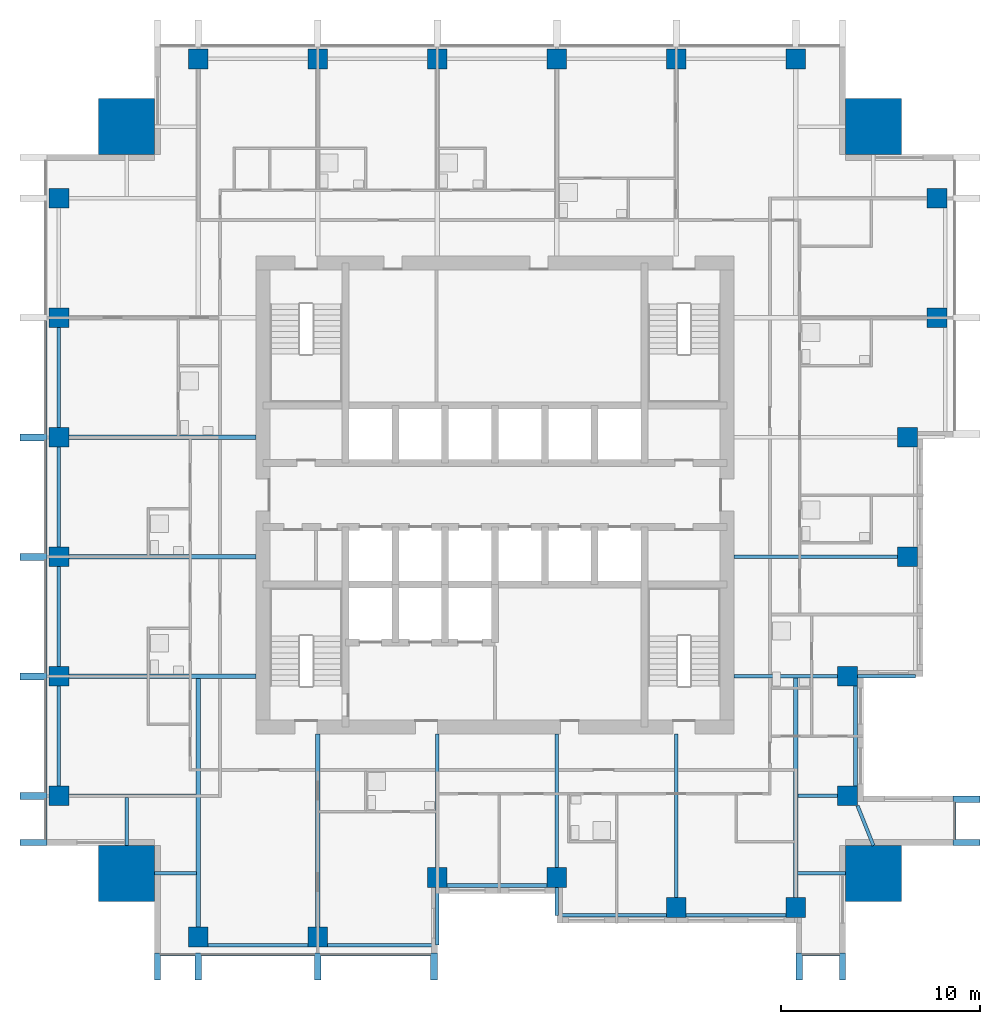
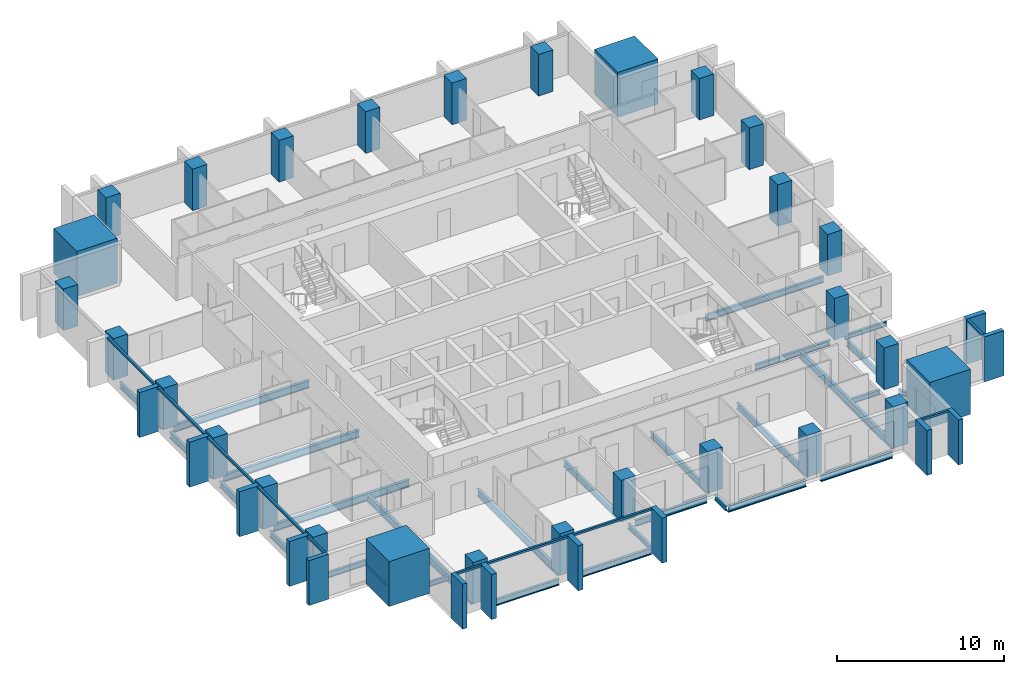
# One storey, part 1 of 10: 30 beams, 28 columns, 23 members, 4 elements without a shape of their own.
"""IFC4 building model written with IfcOpenShell, lengths in metres."""

from ifc_helpers import new_model, si_unit, direction, frame, origin, origin_2d, place, context, subcontext, project, spatial, rectangle, i_section, extrude, material, material_profile, profile_set, type_object, element, aggregate, save


model = new_model("IFC4")

# Units and contexts
model_context = context("Model", 3, precision=1e-05, world=origin(), true_north=direction((0.0, 1.0)))
body_context = subcontext(model_context, "Body", "Model", "MODEL_VIEW")
ifc_project = project(units=[si_unit("LENGTHUNIT", "METRE"), si_unit("AREAUNIT", "SQUARE_METRE"), si_unit("VOLUMEUNIT", "CUBIC_METRE"), si_unit("PLANEANGLEUNIT", "RADIAN"), si_unit("MASSUNIT", "GRAM", prefix="KILO")], contexts=[model_context])

# Site, building, storey
site_placement = place(None, origin())
site = spatial("IfcSite", under=ifc_project, at=site_placement, CompositionType="ELEMENT")
building_placement = place(site_placement, origin())
building = spatial("IfcBuilding", under=site, at=building_placement, Name="Amberfall Residences", CompositionType="ELEMENT")
storey_placement = place(building_placement, frame((0.0, 0.0, 137.199951171875)))
storey = spatial("IfcBuildingStorey", under=building, at=storey_placement, Name="L36", CompositionType="ELEMENT", Elevation=137.199951171875)

# Columns
ifc_material_1 = material(Name="Concrete C60", Category="concrete")
ifc_material_profile_1 = material_profile(ifc_material_1, rectangle(XDim=1.0, YDim=1.0, at=origin_2d()), Name="Column 1000 x 1000 C60")
ifc_profile_set_1 = profile_set([ifc_material_profile_1], Name="Concrete C60")
column_type_1 = type_object("IfcColumnType", Name="Column 1000 x 1000 C60", PredefinedType="COLUMN", material=ifc_profile_set_1)
for number, where, z_axis, x_axis, name in (
    (1, (59.60009765625, 23.300048828125, 0.0), (0.0, 0.0, 1.0), (1.0, 0.0, 0.0), "Column C3 L36 S1"),
    (2, (65.60009765625, 23.300048828125, 0.0), (0.0, 0.0, 1.0), (1.0, 0.0, 0.0), "Column C3 L36 S2"),
    (3, (71.60009765625, 26.300048828125, 0.0), (0.0, 0.0, 1.0), (1.0, 0.0, 0.0), "Column C3 L36 S3"),
    (4, (77.60009765625, 26.300048828125, 0.0), (0.0, 0.0, 1.0), (1.0, 0.0, 0.0), "Column C3 L36 S4"),
    (5, (83.60009765625, 24.800048828125, 0.0), (0.0, 0.0, 1.0), (1.0, 0.0, 0.0), "Column C3 L36 S5"),
    (6, (89.60009765625, 24.800048828125, 0.0), (0.0, 0.0, 1.0), (1.0, 0.0, 0.0), "Column C3 L36 S6"),
    (7, (92.199951171875, 30.39990234375, 0.0), (0.0, 0.0, 1.0), (1.0, 0.0, 0.0), "Column C3 L36 E1"),
    (8, (92.199951171875, 36.39990234375, 0.0), (0.0, 0.0, 1.0), (1.0, 0.0, 0.0), "Column C3 L36 E2"),
    (9, (95.199951171875, 42.39990234375, 0.0), (0.0, 0.0, 1.0), (1.0, 0.0, 0.0), "Column C3 L36 E3"),
    (10, (95.199951171875, 48.39990234375, 0.0), (0.0, 0.0, 1.0), (1.0, 0.0, 0.0), "Column C3 L36 E4"),
    (11, (96.699951171875, 54.39990234375, 0.0), (0.0, 0.0, 1.0), (1.0, 0.0, 0.0), "Column C3 L36 E5"),
    (12, (96.699951171875, 60.39990234375, 0.0), (0.0, 0.0, 1.0), (1.0, 0.0, 0.0), "Column C3 L36 E6"),
    (13, (59.60009765625, 67.39990234375, 0.0), (0.0, 0.0, 1.0), (1.0, 0.0, 0.0), "Column C3 L36 N1"),
    (14, (65.60009765625, 67.39990234375, 0.0), (0.0, 0.0, 1.0), (1.0, 0.0, 0.0), "Column C3 L36 N2"),
    (15, (71.60009765625, 67.39990234375, 0.0), (0.0, 0.0, 1.0), (1.0, 0.0, 0.0), "Column C3 L36 N3"),
    (16, (77.60009765625, 67.39990234375, 0.0), (0.0, 0.0, 1.0), (1.0, 0.0, 0.0), "Column C3 L36 N4"),
    (17, (83.60009765625, 67.39990234375, 0.0), (0.0, 0.0, 1.0), (1.0, 0.0, 0.0), "Column C3 L36 N5"),
    (18, (89.60009765625, 67.39990234375, 0.0), (0.0, 0.0, 1.0), (1.0, 0.0, 0.0), "Column C3 L36 N6"),
    (19, (52.60009765625, 30.39990234375, 0.0), (0.0, 0.0, 1.0), (1.0, 0.0, 0.0), "Column C3 L36 W1"),
    (20, (52.60009765625, 36.39990234375, 0.0), (0.0, 0.0, 1.0), (1.0, 0.0, 0.0), "Column C3 L36 W2"),
    (21, (52.60009765625, 42.39990234375, 0.0), (0.0, 0.0, 1.0), (1.0, 0.0, 0.0), "Column C3 L36 W3"),
    (22, (52.60009765625, 48.39990234375, 0.0), (0.0, 0.0, 1.0), (1.0, 0.0, 0.0), "Column C3 L36 W4"),
    (23, (52.60009765625, 54.39990234375, 0.0), (0.0, 0.0, 1.0), (1.0, 0.0, 0.0), "Column C3 L36 W5"),
    (24, (52.60009765625, 60.39990234375, 0.0), (0.0, 0.0, 1.0), (1.0, 0.0, 0.0), "Column C3 L36 W6"),
):
    element("IfcColumn", number, at=place(storey_placement, frame(where, z_axis=z_axis, x_axis=x_axis)), inside=storey, type_object=column_type_1, Name=name, PredefinedType="COLUMN", context=body_context, shape_type="SweptSolid", body=[
        extrude(rectangle(XDim=1.0, YDim=1.0, at=origin_2d()), origin(), (0.0, 0.0, 1.0), 3.050048828125),
    ])
ifc_material_profile_2 = material_profile(ifc_material_1, rectangle(XDim=2.800048828125, YDim=2.800048828125, at=origin_2d()), Name="Mega column 2800 x 2800 C60")
ifc_profile_set_2 = profile_set([ifc_material_profile_2], Name="Concrete C60")
column_type_2 = type_object("IfcColumnType", Name="Mega column 2800 x 2800 C60", PredefinedType="COLUMN", material=ifc_profile_set_2)
for number, where, z_axis, x_axis, name in (
    (25, (56.0, 26.5, 0.0), (0.0, 0.0, 1.0), (1.0, 0.0, 0.0), "Mega column MC5 L36 SW"),
    (26, (93.5, 26.5, 0.0), (0.0, 0.0, 1.0), (1.0, 0.0, 0.0), "Mega column MC5 L36 SE"),
    (27, (93.5, 64.0, 0.0), (0.0, 0.0, 1.0), (1.0, 0.0, 0.0), "Mega column MC5 L36 NE"),
    (28, (56.0, 64.0, 0.0), (0.0, 0.0, 1.0), (1.0, 0.0, 0.0), "Mega column MC5 L36 NW"),
):
    element("IfcColumn", number, at=place(storey_placement, frame(where, z_axis=z_axis, x_axis=x_axis)), inside=storey, type_object=column_type_2, Name=name, PredefinedType="COLUMN", context=body_context, shape_type="SweptSolid", body=[
        extrude(rectangle(XDim=2.800048828125, YDim=2.800048828125, at=origin_2d()), origin(), (0.0, 0.0, 1.0), 3.300048828125),
    ])

# Curtain wall, members
ifc_material_2 = material(Name="Bronze anodised aluminium and glass", Category="aluminium")
curtain_wall_type = type_object("IfcCurtainWallType", Name="Curtain wall CW1 tower unit", PredefinedType="USERDEFINED", material=ifc_material_2)
curtain_wall_1_placement = place(storey_placement, origin())
curtain_wall_1 = element("IfcCurtainWall", 29, at=curtain_wall_1_placement, inside=storey, type_object=curtain_wall_type, Name="Curtain wall L36 S S1", ObjectType="UNITISED CURTAIN WALL", PredefinedType="USERDEFINED")
ifc_material_3 = material(Name="Bronze anodised aluminium", Category="aluminium")
ifc_material_profile_3 = material_profile(ifc_material_3, rectangle(XDim=0.14990234375, YDim=0.14990234375, at=origin_2d()), Name="CW1 transom 150 x 150 bronze")
ifc_profile_set_3 = profile_set([ifc_material_profile_3], Name="Bronze anodised aluminium")
member_type_1 = type_object("IfcMemberType", Name="CW1 transom 150 x 150 bronze", PredefinedType="USERDEFINED", material=ifc_profile_set_3)
member_1_placement = place(storey_placement, frame((57.699951171875, 22.425048828125, 2.97509765625), z_axis=(1.0, 0.0, 0.0), x_axis=(0.0, 1.0, 0.0)))
member_1 = element("IfcMember", 30, at=member_1_placement, type_object=member_type_1, Name="CW1 transom 1.1", ObjectType="TRANSOM", PredefinedType="USERDEFINED", context=body_context, shape_type="SweptSolid", body=[
    extrude(rectangle(XDim=0.14990234375, YDim=0.14990234375, at=origin_2d()), origin(), (0.0, 0.0, 1.0), 1.72509765625),
])
member_2_placement = place(storey_placement, frame((59.77490234375, 22.425048828125, 2.97509765625), z_axis=(1.0, 0.0, 0.0), x_axis=(0.0, 1.0, 0.0)))
member_2 = element("IfcMember", 31, at=member_2_placement, type_object=member_type_1, Name="CW1 transom 2.1", ObjectType="TRANSOM", PredefinedType="USERDEFINED", context=body_context, shape_type="SweptSolid", body=[
    extrude(rectangle(XDim=0.14990234375, YDim=0.14990234375, at=origin_2d()), origin(), (0.0, 0.0, 1.0), 5.650146484375),
])
member_3_placement = place(storey_placement, frame((65.77490234375, 22.425048828125, 2.97509765625), z_axis=(1.0, 0.0, 0.0), x_axis=(0.0, 1.0, 0.0)))
member_3 = element("IfcMember", 32, at=member_3_placement, type_object=member_type_1, Name="CW1 transom 3.1", ObjectType="TRANSOM", PredefinedType="USERDEFINED", context=body_context, shape_type="SweptSolid", body=[
    extrude(rectangle(XDim=0.14990234375, YDim=0.14990234375, at=origin_2d()), origin(), (0.0, 0.0, 1.0), 5.47509765625),
])

# Curtain wall, member
curtain_wall_2_placement = place(storey_placement, origin())
curtain_wall_2 = element("IfcCurtainWall", 33, at=curtain_wall_2_placement, inside=storey, type_object=curtain_wall_type, Name="Curtain wall L36 S S8", ObjectType="UNITISED CURTAIN WALL", PredefinedType="USERDEFINED")
member_4_placement = place(storey_placement, frame((89.949951171875, 22.425048828125, 2.97509765625), z_axis=(1.0, 0.0, 0.0), x_axis=(0.0, 1.0, 0.0)))
member_4 = element("IfcMember", 34, at=member_4_placement, type_object=member_type_1, Name="CW1 transom 1.1", ObjectType="TRANSOM", PredefinedType="USERDEFINED", context=body_context, shape_type="SweptSolid", body=[
    extrude(rectangle(XDim=0.14990234375, YDim=0.14990234375, at=origin_2d()), origin(), (0.0, 0.0, 1.0), 1.85009765625),
])

curtain_wall_3_placement = place(storey_placement, origin())
curtain_wall_3 = element("IfcCurtainWall", 35, at=curtain_wall_3_placement, inside=storey, type_object=curtain_wall_type, Name="Curtain wall L36 E E1", ObjectType="UNITISED CURTAIN WALL", PredefinedType="USERDEFINED")
member_5_placement = place(storey_placement, frame((97.574951171875, 28.199951171875, 2.97509765625), z_axis=(0.0, 1.0, 0.0), x_axis=(-1.0, 0.0, 0.0)))
member_5 = element("IfcMember", 36, at=member_5_placement, type_object=member_type_1, Name="CW1 transom 1.1", ObjectType="TRANSOM", PredefinedType="USERDEFINED", context=body_context, shape_type="SweptSolid", body=[
    extrude(rectangle(XDim=0.14990234375, YDim=0.14990234375, at=origin_2d()), origin(), (0.0, 0.0, 1.0), 1.85009765625),
])

# Curtain wall, members
curtain_wall_4_placement = place(storey_placement, origin())
curtain_wall_4 = element("IfcCurtainWall", 37, at=curtain_wall_4_placement, inside=storey, type_object=curtain_wall_type, Name="Curtain wall L36 W W1", ObjectType="UNITISED CURTAIN WALL", PredefinedType="USERDEFINED")
member_6_placement = place(storey_placement, frame((51.925048828125, 54.22509765625, 2.97509765625), z_axis=(0.0, -1.0, 0.0), x_axis=(1.0, 0.0, 0.0)))
member_6 = element("IfcMember", 38, at=member_6_placement, type_object=member_type_1, Name="CW1 transom 3.1", ObjectType="TRANSOM", PredefinedType="USERDEFINED", context=body_context, shape_type="SweptSolid", body=[
    extrude(rectangle(XDim=0.14990234375, YDim=0.14990234375, at=origin_2d()), origin(), (0.0, 0.0, 1.0), 5.650146484375),
])
member_7_placement = place(storey_placement, frame((51.925048828125, 48.22509765625, 2.97509765625), z_axis=(0.0, -1.0, 0.0), x_axis=(1.0, 0.0, 0.0)))
member_7 = element("IfcMember", 39, at=member_7_placement, type_object=member_type_1, Name="CW1 transom 4.1", ObjectType="TRANSOM", PredefinedType="USERDEFINED", context=body_context, shape_type="SweptSolid", body=[
    extrude(rectangle(XDim=0.14990234375, YDim=0.14990234375, at=origin_2d()), origin(), (0.0, 0.0, 1.0), 5.650146484375),
])
member_8_placement = place(storey_placement, frame((51.925048828125, 42.22509765625, 2.97509765625), z_axis=(0.0, -1.0, 0.0), x_axis=(1.0, 0.0, 0.0)))
member_8 = element("IfcMember", 40, at=member_8_placement, type_object=member_type_1, Name="CW1 transom 5.1", ObjectType="TRANSOM", PredefinedType="USERDEFINED", context=body_context, shape_type="SweptSolid", body=[
    extrude(rectangle(XDim=0.14990234375, YDim=0.14990234375, at=origin_2d()), origin(), (0.0, 0.0, 1.0), 5.650146484375),
])
member_9_placement = place(storey_placement, frame((51.925048828125, 36.22509765625, 2.97509765625), z_axis=(0.0, -1.0, 0.0), x_axis=(1.0, 0.0, 0.0)))
member_9 = element("IfcMember", 41, at=member_9_placement, type_object=member_type_1, Name="CW1 transom 6.1", ObjectType="TRANSOM", PredefinedType="USERDEFINED", context=body_context, shape_type="SweptSolid", body=[
    extrude(rectangle(XDim=0.14990234375, YDim=0.14990234375, at=origin_2d()), origin(), (0.0, 0.0, 1.0), 5.650146484375),
])
member_10_placement = place(storey_placement, frame((51.925048828125, 30.22509765625, 2.97509765625), z_axis=(0.0, -1.0, 0.0), x_axis=(1.0, 0.0, 0.0)))
member_10 = element("IfcMember", 42, at=member_10_placement, type_object=member_type_1, Name="CW1 transom 7.1", ObjectType="TRANSOM", PredefinedType="USERDEFINED", context=body_context, shape_type="SweptSolid", body=[
    extrude(rectangle(XDim=0.14990234375, YDim=0.14990234375, at=origin_2d()), origin(), (0.0, 0.0, 1.0), 2.025146484375),
])

# Beams
ifc_material_4 = material(Name="Steel S355", Category="steel")
ifc_material_profile_4 = material_profile(ifc_material_4, i_section(OverallWidth=0.171142578125, OverallDepth=0.351318359375, WebThickness=0.007080078125, FlangeThickness=0.009765625, FilletRadius=0.01025390625, at=origin_2d()), Name="UB 356x171x45")
ifc_profile_set_4 = profile_set([ifc_material_profile_4], Name="Steel S355")
beam_type_1 = type_object("IfcBeamType", Name="Cantilever girder UB 356x171x45", PredefinedType="BEAM", material=ifc_profile_set_4)
beam_1_placement = place(storey_placement, frame((71.60009765625, 25.800048828125, -0.425537109375), z_axis=(0.0, -1.0, 0.0), x_axis=(1.0, 0.0, 0.0)))
element("IfcBeam", 43, at=beam_1_placement, inside=storey, type_object=beam_type_1, Name="Cantilever girder B8 L36 06", PredefinedType="BEAM", context=body_context, shape_type="SweptSolid", body=[
    extrude(i_section(OverallWidth=0.171142578125, OverallDepth=0.351318359375, WebThickness=0.007080078125, FlangeThickness=0.009765625, FilletRadius=0.01025390625, at=origin_2d()), origin(), (0.0, 0.0, 1.0), 2.900146484375),
])
beam_2_placement = place(storey_placement, frame((77.60009765625, 25.800048828125, -0.425537109375), z_axis=(0.0, -1.0, 0.0), x_axis=(1.0, 0.0, 0.0)))
element("IfcBeam", 44, at=beam_2_placement, inside=storey, type_object=beam_type_1, Name="Cantilever girder B8 L36 07", PredefinedType="BEAM", context=body_context, shape_type="SweptSolid", body=[
    extrude(i_section(OverallWidth=0.171142578125, OverallDepth=0.351318359375, WebThickness=0.007080078125, FlangeThickness=0.009765625, FilletRadius=0.01025390625, at=origin_2d()), origin(), (0.0, 0.0, 1.0), 1.400146484375),
])
beam_3_placement = place(storey_placement, frame((92.699951171875, 36.39990234375, -0.425537109375), z_axis=(1.0, 0.0, 0.0), x_axis=(0.0, 1.0, 0.0)))
element("IfcBeam", 45, at=beam_3_placement, inside=storey, type_object=beam_type_1, Name="Cantilever girder B8 L36 19", PredefinedType="BEAM", context=body_context, shape_type="SweptSolid", body=[
    extrude(i_section(OverallWidth=0.171142578125, OverallDepth=0.351318359375, WebThickness=0.007080078125, FlangeThickness=0.009765625, FilletRadius=0.01025390625, at=origin_2d()), origin(), (0.0, 0.0, 1.0), 2.900146484375),
])

# Member
ifc_material_profile_5 = material_profile(ifc_material_3, rectangle(XDim=1.35009765625, YDim=0.300048828125, at=origin_2d()), Name="Corner fin 300 x 1350 bronze")
ifc_profile_set_5 = profile_set([ifc_material_profile_5], Name="Bronze anodised aluminium")
member_type_2 = type_object("IfcMemberType", Name="Corner fin 300 x 1350 bronze", PredefinedType="MULLION", material=ifc_profile_set_5)
member_11_placement = place(storey_placement, frame((57.550048828125, 21.824951171875, -0.25), z_axis=(0.0, 0.0, 1.0), x_axis=(0.0, 1.0, 0.0)))
member_11 = element("IfcMember", 46, at=member_11_placement, type_object=member_type_2, Name="CW FIN 1", PredefinedType="MULLION", context=body_context, shape_type="SweptSolid", body=[
    extrude(rectangle(XDim=1.35009765625, YDim=0.300048828125, at=origin_2d()), origin(), (0.0, 0.0, 1.0), 3.300048828125),
])

member_12_placement = place(storey_placement, frame((91.949951171875, 21.824951171875, -0.25), z_axis=(0.0, 0.0, 1.0), x_axis=(0.0, 1.0, 0.0)))
member_12 = element("IfcMember", 47, at=member_12_placement, type_object=member_type_2, Name="CW FIN 2", PredefinedType="MULLION", context=body_context, shape_type="SweptSolid", body=[
    extrude(rectangle(XDim=1.35009765625, YDim=0.300048828125, at=origin_2d()), origin(), (0.0, 0.0, 1.0), 3.300048828125),
])

member_13_placement = place(storey_placement, frame((98.175048828125, 28.050048828125, -0.25), z_axis=(0.0, 0.0, 1.0), x_axis=(-1.0, 0.0, 0.0)))
member_13 = element("IfcMember", 48, at=member_13_placement, type_object=member_type_2, Name="CW FIN 1", PredefinedType="MULLION", context=body_context, shape_type="SweptSolid", body=[
    extrude(rectangle(XDim=1.35009765625, YDim=0.300048828125, at=origin_2d()), origin(), (0.0, 0.0, 1.0), 3.300048828125),
])

member_14_placement = place(storey_placement, frame((51.324951171875, 28.050048828125, -0.25), z_axis=(0.0, 0.0, 1.0), x_axis=(1.0, 0.0, 0.0)))
member_14 = element("IfcMember", 49, at=member_14_placement, type_object=member_type_2, Name="CW FIN 8", PredefinedType="MULLION", context=body_context, shape_type="SweptSolid", body=[
    extrude(rectangle(XDim=1.35009765625, YDim=0.300048828125, at=origin_2d()), origin(), (0.0, 0.0, 1.0), 3.300048828125),
])

# Beams
ifc_material_profile_6 = material_profile(ifc_material_4, i_section(OverallWidth=0.18994140625, OverallDepth=0.453369140625, WebThickness=0.008544921875, FlangeThickness=0.0126953125, FilletRadius=0.01025390625, at=origin_2d()), Name="UB 457x191x67")
ifc_profile_set_6 = profile_set([ifc_material_profile_6], Name="Steel S355")
beam_type_2 = type_object("IfcBeamType", Name="Edge beam UB 457x191x67", PredefinedType="SPANDREL", material=ifc_profile_set_6)
beam_4_placement = place(storey_placement, frame((60.10009765625, 22.89990234375, -0.4765625), z_axis=(1.0, 0.0, 0.0), x_axis=(0.0, 1.0, 0.0)))
element("IfcBeam", 50, at=beam_4_placement, inside=storey, type_object=beam_type_2, Name="Edge beam B1 L36 01", PredefinedType="SPANDREL", context=body_context, shape_type="SweptSolid", body=[
    extrude(i_section(OverallWidth=0.18994140625, OverallDepth=0.453369140625, WebThickness=0.008544921875, FlangeThickness=0.0126953125, FilletRadius=0.01025390625, at=origin_2d()), origin(), (0.0, 0.0, 1.0), 5.0),
])
beam_5_placement = place(storey_placement, frame((66.10009765625, 22.89990234375, -0.4765625), z_axis=(1.0, 0.0, 0.0), x_axis=(0.0, 1.0, 0.0)))
element("IfcBeam", 51, at=beam_5_placement, inside=storey, type_object=beam_type_2, Name="Edge beam B1 L36 02", PredefinedType="SPANDREL", context=body_context, shape_type="SweptSolid", body=[
    extrude(i_section(OverallWidth=0.18994140625, OverallDepth=0.453369140625, WebThickness=0.008544921875, FlangeThickness=0.0126953125, FilletRadius=0.01025390625, at=origin_2d()), origin(), (0.0, 0.0, 1.0), 5.419921875),
])
beam_6_placement = place(storey_placement, frame((72.10009765625, 25.89990234375, -0.4765625), z_axis=(1.0, 0.0, 0.0), x_axis=(0.0, 1.0, 0.0)))
element("IfcBeam", 52, at=beam_6_placement, inside=storey, type_object=beam_type_2, Name="Edge beam B1 L36 03", PredefinedType="SPANDREL", context=body_context, shape_type="SweptSolid", body=[
    extrude(i_section(OverallWidth=0.18994140625, OverallDepth=0.453369140625, WebThickness=0.008544921875, FlangeThickness=0.0126953125, FilletRadius=0.01025390625, at=origin_2d()), origin(), (0.0, 0.0, 1.0), 5.0),
])
beam_7_placement = place(storey_placement, frame((77.679931640625, 24.39990234375, -0.4765625), z_axis=(1.0, 0.0, 0.0), x_axis=(0.0, 1.0, 0.0)))
element("IfcBeam", 53, at=beam_7_placement, inside=storey, type_object=beam_type_2, Name="Edge beam B1 L36 04", PredefinedType="SPANDREL", context=body_context, shape_type="SweptSolid", body=[
    extrude(i_section(OverallWidth=0.18994140625, OverallDepth=0.453369140625, WebThickness=0.008544921875, FlangeThickness=0.0126953125, FilletRadius=0.01025390625, at=origin_2d()), origin(), (0.0, 0.0, 1.0), 5.420166015625),
])
for number, where, z_axis, x_axis, name in (
    (54, (84.10009765625, 24.39990234375, -0.4765625), (1.0, 0.0, 0.0), (0.0, 1.0, 0.0), "Edge beam B1 L36 05"),
    (55, (92.60009765625, 30.89990234375, -0.4765625), (0.0, 1.0, 0.0), (-1.0, 0.0, 0.0), "Edge beam B1 L36 14"),
    (56, (52.60009765625, 30.89990234375, -0.4765625), (0.0, 1.0, 0.0), (-1.0, 0.0, 0.0), "Edge beam B1 L36 38"),
    (57, (52.60009765625, 36.89990234375, -0.4765625), (0.0, 1.0, 0.0), (-1.0, 0.0, 0.0), "Edge beam B1 L36 39"),
    (58, (52.60009765625, 42.89990234375, -0.4765625), (0.0, 1.0, 0.0), (-1.0, 0.0, 0.0), "Edge beam B1 L36 40"),
    (59, (52.60009765625, 48.89990234375, -0.4765625), (0.0, 1.0, 0.0), (-1.0, 0.0, 0.0), "Edge beam B1 L36 41"),
):
    element("IfcBeam", number, at=place(storey_placement, frame(where, z_axis=z_axis, x_axis=x_axis)), inside=storey, type_object=beam_type_2, Name=name, PredefinedType="SPANDREL", context=body_context, shape_type="SweptSolid", body=[
        extrude(i_section(OverallWidth=0.18994140625, OverallDepth=0.453369140625, WebThickness=0.008544921875, FlangeThickness=0.0126953125, FilletRadius=0.01025390625, at=origin_2d()), origin(), (0.0, 0.0, 1.0), 5.0),
    ])

# Member
ifc_material_profile_7 = material_profile(ifc_material_3, rectangle(XDim=1.35009765625, YDim=0.35009765625, at=origin_2d()), Name="Fin 350 x 1350 bronze")
ifc_profile_set_7 = profile_set([ifc_material_profile_7], Name="Bronze anodised aluminium")
member_type_3 = type_object("IfcMemberType", Name="Fin 350 x 1350 bronze", PredefinedType="MULLION", material=ifc_profile_set_7)
member_15_placement = place(storey_placement, frame((59.60009765625, 21.824951171875, -0.25), z_axis=(0.0, 0.0, 1.0), x_axis=(0.0, 1.0, 0.0)))
member_15 = element("IfcMember", 60, at=member_15_placement, type_object=member_type_3, Name="CW FIN 2", PredefinedType="MULLION", context=body_context, shape_type="SweptSolid", body=[
    extrude(rectangle(XDim=1.35009765625, YDim=0.35009765625, at=origin_2d()), origin(), (0.0, 0.0, 1.0), 3.300048828125),
])

member_16_placement = place(storey_placement, frame((65.60009765625, 21.824951171875, -0.25), z_axis=(0.0, 0.0, 1.0), x_axis=(0.0, 1.0, 0.0)))
member_16 = element("IfcMember", 61, at=member_16_placement, type_object=member_type_3, Name="CW FIN 3", PredefinedType="MULLION", context=body_context, shape_type="SweptSolid", body=[
    extrude(rectangle(XDim=1.35009765625, YDim=0.35009765625, at=origin_2d()), origin(), (0.0, 0.0, 1.0), 3.300048828125),
])

member_17_placement = place(storey_placement, frame((71.425048828125, 21.824951171875, -0.25), z_axis=(0.0, 0.0, 1.0), x_axis=(0.0, 1.0, 0.0)))
member_17 = element("IfcMember", 62, at=member_17_placement, type_object=member_type_3, Name="CW FIN 4", PredefinedType="MULLION", context=body_context, shape_type="SweptSolid", body=[
    extrude(rectangle(XDim=1.35009765625, YDim=0.35009765625, at=origin_2d()), origin(), (0.0, 0.0, 1.0), 3.300048828125),
])

aggregate(curtain_wall_1, [member_11, member_15, member_16, member_17, member_1, member_2, member_3])

member_18_placement = place(storey_placement, frame((89.77490234375, 21.824951171875, -0.25), z_axis=(0.0, 0.0, 1.0), x_axis=(0.0, 1.0, 0.0)))
member_18 = element("IfcMember", 63, at=member_18_placement, type_object=member_type_3, Name="CW FIN 1", PredefinedType="MULLION", context=body_context, shape_type="SweptSolid", body=[
    extrude(rectangle(XDim=1.35009765625, YDim=0.35009765625, at=origin_2d()), origin(), (0.0, 0.0, 1.0), 3.300048828125),
])

aggregate(curtain_wall_2, [member_18, member_12, member_4])

member_19_placement = place(storey_placement, frame((98.175048828125, 30.22509765625, -0.25), z_axis=(0.0, 0.0, 1.0), x_axis=(-1.0, 0.0, 0.0)))
member_19 = element("IfcMember", 64, at=member_19_placement, type_object=member_type_3, Name="CW FIN 2", PredefinedType="MULLION", context=body_context, shape_type="SweptSolid", body=[
    extrude(rectangle(XDim=1.35009765625, YDim=0.35009765625, at=origin_2d()), origin(), (0.0, 0.0, 1.0), 3.300048828125),
])

aggregate(curtain_wall_3, [member_13, member_19, member_5])

member_20_placement = place(storey_placement, frame((51.324951171875, 48.39990234375, -0.25), z_axis=(0.0, 0.0, 1.0), x_axis=(1.0, 0.0, 0.0)))
member_20 = element("IfcMember", 65, at=member_20_placement, type_object=member_type_3, Name="CW FIN 4", PredefinedType="MULLION", context=body_context, shape_type="SweptSolid", body=[
    extrude(rectangle(XDim=1.35009765625, YDim=0.35009765625, at=origin_2d()), origin(), (0.0, 0.0, 1.0), 3.300048828125),
])

member_21_placement = place(storey_placement, frame((51.324951171875, 42.39990234375, -0.25), z_axis=(0.0, 0.0, 1.0), x_axis=(1.0, 0.0, 0.0)))
member_21 = element("IfcMember", 66, at=member_21_placement, type_object=member_type_3, Name="CW FIN 5", PredefinedType="MULLION", context=body_context, shape_type="SweptSolid", body=[
    extrude(rectangle(XDim=1.35009765625, YDim=0.35009765625, at=origin_2d()), origin(), (0.0, 0.0, 1.0), 3.300048828125),
])

member_22_placement = place(storey_placement, frame((51.324951171875, 36.39990234375, -0.25), z_axis=(0.0, 0.0, 1.0), x_axis=(1.0, 0.0, 0.0)))
member_22 = element("IfcMember", 67, at=member_22_placement, type_object=member_type_3, Name="CW FIN 6", PredefinedType="MULLION", context=body_context, shape_type="SweptSolid", body=[
    extrude(rectangle(XDim=1.35009765625, YDim=0.35009765625, at=origin_2d()), origin(), (0.0, 0.0, 1.0), 3.300048828125),
])

member_23_placement = place(storey_placement, frame((51.324951171875, 30.39990234375, -0.25), z_axis=(0.0, 0.0, 1.0), x_axis=(1.0, 0.0, 0.0)))
member_23 = element("IfcMember", 68, at=member_23_placement, type_object=member_type_3, Name="CW FIN 7", PredefinedType="MULLION", context=body_context, shape_type="SweptSolid", body=[
    extrude(rectangle(XDim=1.35009765625, YDim=0.35009765625, at=origin_2d()), origin(), (0.0, 0.0, 1.0), 3.300048828125),
])

aggregate(curtain_wall_4, [member_20, member_21, member_22, member_23, member_14, member_6, member_7, member_8, member_9, member_10])

# Beams
ifc_material_profile_8 = material_profile(ifc_material_4, i_section(OverallWidth=0.171142578125, OverallDepth=0.351318359375, WebThickness=0.007080078125, FlangeThickness=0.009765625, FilletRadius=0.01025390625, at=origin_2d()), Name="UB 356x171x45")
ifc_profile_set_8 = profile_set([ifc_material_profile_8], Name="Steel S355")
beam_type_3 = type_object("IfcBeamType", Name="Floor girder UB 356x171x45", PredefinedType="BEAM", material=ifc_profile_set_8)
beam_8_placement = place(storey_placement, frame((91.699951171875, 30.39990234375, -0.425537109375), z_axis=(-1.0, 0.0, 0.0), x_axis=(0.0, -1.0, 0.0)))
element("IfcBeam", 69, at=beam_8_placement, inside=storey, type_object=beam_type_3, Name="Floor girder B11 L36 21", PredefinedType="BEAM", context=body_context, shape_type="SweptSolid", body=[
    extrude(i_section(OverallWidth=0.171142578125, OverallDepth=0.351318359375, WebThickness=0.007080078125, FlangeThickness=0.009765625, FilletRadius=0.01025390625, at=origin_2d()), origin(), (0.0, 0.0, 1.0), 1.97998046875),
])
ifc_material_profile_9 = material_profile(ifc_material_4, i_section(OverallWidth=0.177734375, OverallDepth=0.402587890625, WebThickness=0.0078125, FlangeThickness=0.010986328125, FilletRadius=0.01025390625, at=origin_2d()), Name="UB 406x178x54")
ifc_profile_set_9 = profile_set([ifc_material_profile_9], Name="Steel S355")
beam_type_4 = type_object("IfcBeamType", Name="Floor girder UB 406x178x54", PredefinedType="BEAM", material=ifc_profile_set_9)
beam_9_placement = place(storey_placement, frame((91.699951171875, 36.39990234375, -0.451171875), z_axis=(-1.0, 0.0, 0.0), x_axis=(0.0, -1.0, 0.0)))
element("IfcBeam", 70, at=beam_9_placement, inside=storey, type_object=beam_type_4, Name="Floor girder B4 L36 22", PredefinedType="BEAM", context=body_context, shape_type="SweptSolid", body=[
    extrude(i_section(OverallWidth=0.177734375, OverallDepth=0.402587890625, WebThickness=0.0078125, FlangeThickness=0.010986328125, FilletRadius=0.01025390625, at=origin_2d()), origin(), (0.0, 0.0, 1.0), 5.199951171875),
])
beam_10_placement = place(storey_placement, frame((53.10009765625, 30.39990234375, -0.451171875), z_axis=(1.0, 0.0, 0.0), x_axis=(0.0, 1.0, 0.0)))
element("IfcBeam", 71, at=beam_10_placement, inside=storey, type_object=beam_type_4, Name="Floor girder B4 L36 43", PredefinedType="BEAM", context=body_context, shape_type="SweptSolid", body=[
    extrude(i_section(OverallWidth=0.177734375, OverallDepth=0.402587890625, WebThickness=0.0078125, FlangeThickness=0.010986328125, FilletRadius=0.01025390625, at=origin_2d()), origin(), (0.0, 0.0, 1.0), 6.3798828125),
])
ifc_material_profile_10 = material_profile(ifc_material_4, i_section(OverallWidth=0.19140625, OverallDepth=0.4599609375, WebThickness=0.010009765625, FlangeThickness=0.01611328125, FilletRadius=0.01025390625, at=origin_2d()), Name="UB 457x191x82")
ifc_profile_set_10 = profile_set([ifc_material_profile_10], Name="Steel S355")
beam_type_5 = type_object("IfcBeamType", Name="Floor girder UB 457x191x82", PredefinedType="BEAM", material=ifc_profile_set_10)
for number, where, z_axis, x_axis, name in (
    (72, (71.60009765625, 26.800048828125, -0.47998046875), (0.0, 1.0, 0.0), (-1.0, 0.0, 0.0), "Floor girder B10 L36 10"),
    (73, (77.60009765625, 26.800048828125, -0.47998046875), (0.0, 1.0, 0.0), (-1.0, 0.0, 0.0), "Floor girder B10 L36 11"),
):
    element("IfcBeam", number, at=place(storey_placement, frame(where, z_axis=z_axis, x_axis=x_axis)), inside=storey, type_object=beam_type_5, Name=name, PredefinedType="BEAM", context=body_context, shape_type="SweptSolid", body=[
        extrude(i_section(OverallWidth=0.19140625, OverallDepth=0.4599609375, WebThickness=0.010009765625, FlangeThickness=0.01611328125, FilletRadius=0.01025390625, at=origin_2d()), origin(), (0.0, 0.0, 1.0), 6.699951171875),
    ])
for number, where, z_axis, x_axis, name in (
    (74, (83.60009765625, 25.300048828125, -0.47998046875), (0.0, 1.0, 0.0), (-1.0, 0.0, 0.0), "Floor girder B10 L36 12"),
    (75, (94.699951171875, 42.39990234375, -0.47998046875), (-1.0, 0.0, 0.0), (0.0, -1.0, 0.0), "Floor girder B10 L36 23"),
):
    element("IfcBeam", number, at=place(storey_placement, frame(where, z_axis=z_axis, x_axis=x_axis)), inside=storey, type_object=beam_type_5, Name=name, PredefinedType="BEAM", context=body_context, shape_type="SweptSolid", body=[
        extrude(i_section(OverallWidth=0.19140625, OverallDepth=0.4599609375, WebThickness=0.010009765625, FlangeThickness=0.01611328125, FilletRadius=0.01025390625, at=origin_2d()), origin(), (0.0, 0.0, 1.0), 8.199951171875),
    ])
ifc_material_profile_11 = material_profile(ifc_material_4, i_section(OverallWidth=0.210693359375, OverallDepth=0.53955078125, WebThickness=0.01171875, FlangeThickness=0.018798828125, FilletRadius=0.0126953125, at=origin_2d()), Name="UB 533x210x109")
ifc_profile_set_11 = profile_set([ifc_material_profile_11], Name="Steel S355")
beam_type_6 = type_object("IfcBeamType", Name="Floor girder UB 533x210x109", PredefinedType="BEAM", material=ifc_profile_set_11)
beam_11_placement = place(storey_placement, frame((59.60009765625, 23.800048828125, -0.519775390625), z_axis=(0.0, 1.0, 0.0), x_axis=(-1.0, 0.0, 0.0)))
element("IfcBeam", 76, at=beam_11_placement, inside=storey, type_object=beam_type_6, Name="Floor girder B2 L36 08", PredefinedType="BEAM", context=body_context, shape_type="SweptSolid", body=[
    extrude(i_section(OverallWidth=0.210693359375, OverallDepth=0.53955078125, WebThickness=0.01171875, FlangeThickness=0.018798828125, FilletRadius=0.0126953125, at=origin_2d()), origin(), (0.0, 0.0, 1.0), 12.500244140625),
])
beam_12_placement = place(storey_placement, frame((89.60009765625, 25.300048828125, -0.519775390625), z_axis=(0.0, 1.0, 0.0), x_axis=(-1.0, 0.0, 0.0)))
element("IfcBeam", 77, at=beam_12_placement, inside=storey, type_object=beam_type_6, Name="Floor girder B2 L36 13", PredefinedType="BEAM", context=body_context, shape_type="SweptSolid", body=[
    extrude(i_section(OverallWidth=0.210693359375, OverallDepth=0.53955078125, WebThickness=0.01171875, FlangeThickness=0.018798828125, FilletRadius=0.0126953125, at=origin_2d()), origin(), (0.0, 0.0, 1.0), 11.01611328125),
])
ifc_material_profile_12 = material_profile(ifc_material_4, i_section(OverallWidth=0.209228515625, OverallDepth=0.533203125, WebThickness=0.010009765625, FlangeThickness=0.015625, FilletRadius=0.0126953125, at=origin_2d()), Name="UB 533x210x92")
ifc_profile_set_12 = profile_set([ifc_material_profile_12], Name="Steel S355")
beam_type_7 = type_object("IfcBeamType", Name="Floor girder UB 533x210x92", PredefinedType="BEAM", material=ifc_profile_set_12)
beam_13_placement = place(storey_placement, frame((65.60009765625, 23.800048828125, -0.5166015625), z_axis=(0.0, 1.0, 0.0), x_axis=(-1.0, 0.0, 0.0)))
element("IfcBeam", 78, at=beam_13_placement, inside=storey, type_object=beam_type_7, Name="Floor girder B3 L36 09", PredefinedType="BEAM", context=body_context, shape_type="SweptSolid", body=[
    extrude(i_section(OverallWidth=0.209228515625, OverallDepth=0.533203125, WebThickness=0.010009765625, FlangeThickness=0.015625, FilletRadius=0.0126953125, at=origin_2d()), origin(), (0.0, 0.0, 1.0), 9.699951171875),
])
for number, where, z_axis, x_axis, name in (
    (79, (53.10009765625, 36.39990234375, -0.5166015625), (1.0, 0.0, 0.0), (0.0, 1.0, 0.0), "Floor girder B3 L36 44"),
    (80, (53.10009765625, 42.39990234375, -0.5166015625), (1.0, 0.0, 0.0), (0.0, 1.0, 0.0), "Floor girder B3 L36 45"),
    (81, (53.10009765625, 48.39990234375, -0.5166015625), (1.0, 0.0, 0.0), (0.0, 1.0, 0.0), "Floor girder B3 L36 46"),
):
    element("IfcBeam", number, at=place(storey_placement, frame(where, z_axis=z_axis, x_axis=x_axis)), inside=storey, type_object=beam_type_7, Name=name, PredefinedType="BEAM", context=body_context, shape_type="SweptSolid", body=[
        extrude(i_section(OverallWidth=0.209228515625, OverallDepth=0.533203125, WebThickness=0.010009765625, FlangeThickness=0.015625, FilletRadius=0.0126953125, at=origin_2d()), origin(), (0.0, 0.0, 1.0), 9.39990234375),
    ])
ifc_material_profile_13 = material_profile(ifc_material_4, i_section(OverallWidth=0.171142578125, OverallDepth=0.351318359375, WebThickness=0.007080078125, FlangeThickness=0.009765625, FilletRadius=0.01025390625, at=origin_2d()), Name="UB 356x171x45")
ifc_profile_set_13 = profile_set([ifc_material_profile_13], Name="Steel S355")
beam_type_8 = type_object("IfcBeamType", Name="Link beam UB 356x171x45", PredefinedType="BEAM", material=ifc_profile_set_13)
beam_14_placement = place(storey_placement, frame((57.39990234375, 26.5, -0.425537109375), z_axis=(1.0, 0.0, 0.0), x_axis=(0.0, 1.0, 0.0)))
element("IfcBeam", 82, at=beam_14_placement, inside=storey, type_object=beam_type_8, Name="Link beam B7 L36 49", PredefinedType="BEAM", context=body_context, shape_type="SweptSolid", body=[
    extrude(i_section(OverallWidth=0.171142578125, OverallDepth=0.351318359375, WebThickness=0.007080078125, FlangeThickness=0.009765625, FilletRadius=0.01025390625, at=origin_2d()), origin(), (0.0, 0.0, 1.0), 2.104736328125),
])
beam_15_placement = place(storey_placement, frame((56.0, 27.89990234375, -0.425537109375), z_axis=(0.0, 1.0, 0.0), x_axis=(-1.0, 0.0, 0.0)))
element("IfcBeam", 83, at=beam_15_placement, inside=storey, type_object=beam_type_8, Name="Link beam B7 L36 50", PredefinedType="BEAM", context=body_context, shape_type="SweptSolid", body=[
    extrude(i_section(OverallWidth=0.171142578125, OverallDepth=0.351318359375, WebThickness=0.007080078125, FlangeThickness=0.009765625, FilletRadius=0.01025390625, at=origin_2d()), origin(), (0.0, 0.0, 1.0), 2.42138671875),
])
beam_16_placement = place(storey_placement, frame((92.10009765625, 26.5, -0.425537109375), z_axis=(-1.0, 0.0, 0.0), x_axis=(0.0, -1.0, 0.0)))
element("IfcBeam", 84, at=beam_16_placement, inside=storey, type_object=beam_type_8, Name="Link beam B7 L36 51", PredefinedType="BEAM", context=body_context, shape_type="SweptSolid", body=[
    extrude(i_section(OverallWidth=0.171142578125, OverallDepth=0.351318359375, WebThickness=0.007080078125, FlangeThickness=0.009765625, FilletRadius=0.01025390625, at=origin_2d()), origin(), (0.0, 0.0, 1.0), 2.405517578125),
])
beam_17_placement = place(storey_placement, frame((93.5, 27.89990234375, -0.425537109375), z_axis=(-0.37141021739, 0.928468874232, 0.0), x_axis=(-0.928468874232, -0.37141021739, 0.0)))
element("IfcBeam", 85, at=beam_17_placement, inside=storey, type_object=beam_type_8, Name="Link beam B7 L36 52", PredefinedType="BEAM", context=body_context, shape_type="SweptSolid", body=[
    extrude(i_section(OverallWidth=0.171142578125, OverallDepth=0.351318359375, WebThickness=0.007080078125, FlangeThickness=0.009765625, FilletRadius=0.01025390625, at=origin_2d()), origin(), (0.0, 0.0, 1.0), 2.154052734375),
])

save(model, "model.ifc")
